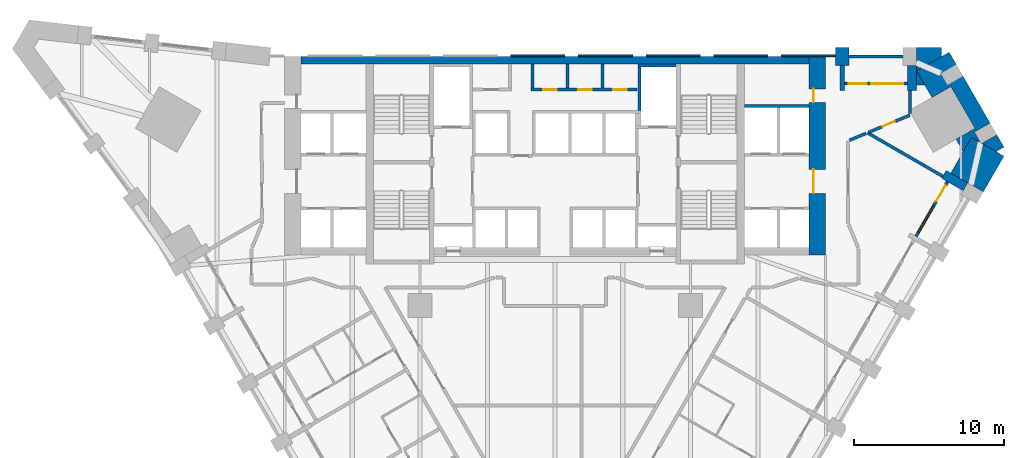
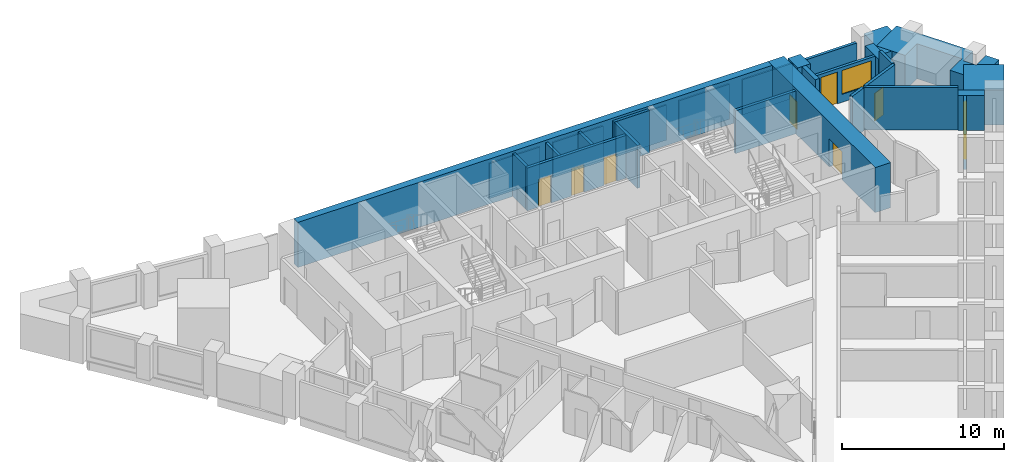
# One storey, part 9 of 11: 29 walls, 8 doors, 2 windows, 10 openings.
"""IFC4 building model written with IfcOpenShell, lengths in metres."""

from ifc_helpers import new_model, si_unit, direction, frame, frame_2d, origin, place, context, subcontext, project, spatial, polyline, rectangle, outline, extrude, material, layer, layer_set, type_object, element, fill, save


model = new_model("IFC4")

# Units and contexts
model_context = context("Model", 3, precision=1e-05, world=origin(), true_north=direction((0.0, 1.0)))
body_context = subcontext(model_context, "Body", "Model", "MODEL_VIEW")
ifc_project = project(units=[si_unit("LENGTHUNIT", "METRE"), si_unit("AREAUNIT", "SQUARE_METRE"), si_unit("VOLUMEUNIT", "CUBIC_METRE"), si_unit("PLANEANGLEUNIT", "RADIAN"), si_unit("MASSUNIT", "GRAM", prefix="KILO")], contexts=[model_context])

# Site, building, storey
site_placement = place(None, origin())
site = spatial("IfcSite", under=ifc_project, at=site_placement, CompositionType="ELEMENT")
building_placement = place(site_placement, origin())
building = spatial("IfcBuilding", under=site, at=building_placement, Name="Calabash Gate Tower", CompositionType="ELEMENT")
storey_placement = place(building_placement, frame((0.0, 0.0, 49.39990234375)))
storey = spatial("IfcBuildingStorey", under=building, at=storey_placement, Name="L07", CompositionType="ELEMENT", Elevation=49.39990234375)

# Walls
ifc_material_1 = material(Name="Terracotta brick masonry, exposed face", Category="masonry")
ifc_layer_1 = layer(ifc_material_1, 2.5)
ifc_layer_set_1 = layer_set([ifc_layer_1], Name="Brick corner mass wall 2500")
wall_type_1 = type_object("IfcWallType", Name="Brick corner mass wall 2500", PredefinedType="SOLIDWALL", material=ifc_layer_set_1)
wall_1_placement = place(storey_placement, origin())
element("IfcWall", 1, at=wall_1_placement, inside=storey, type_object=wall_type_1, Name="Brick corner pier S01 3a", PredefinedType="SOLIDWALL", context=body_context, shape_type="SweptSolid", body=[
    extrude(outline(polyline([(28.49462890625, 10.049072265625), (29.86962890625, 12.4306640625), (28.39990234375, 13.279052734375), (28.35546875, 13.253173828125), (28.310791015625, 13.33056640625), (27.70458984375, 13.6806640625), (26.32958984375, 11.299072265625), (28.49462890625, 10.049072265625)])), origin(), (0.0, 0.0, 1.0), 2.630126953125),
])
wall_2_placement = place(storey_placement, origin())
element("IfcWall", 2, at=wall_2_placement, inside=storey, type_object=wall_type_1, Name="Brick corner pier S01 3ba", PredefinedType="SOLIDWALL", context=body_context, shape_type="SweptSolid", body=[
    extrude(outline(polyline([(29.35009765625, 12.73046875), (29.86962890625, 13.030517578125), (29.39453125, 13.853271484375), (28.39990234375, 13.279052734375), (29.35009765625, 12.73046875)])), origin(), (0.0, 0.0, 1.0), 2.630126953125),
])
wall_3_placement = place(storey_placement, origin())
element("IfcWall", 3, at=wall_3_placement, inside=storey, type_object=wall_type_1, Name="Brick corner pier S01 3bb", PredefinedType="SOLIDWALL", context=body_context, shape_type="SweptSolid", body=[
    extrude(outline(polyline([(27.935546875, 14.28125), (26.679443359375, 13.55615234375), (27.156005859375, 12.73046875), (27.70458984375, 13.6806640625), (28.310791015625, 13.33056640625), (27.9052734375, 14.03271484375), (28.944580078125, 14.6328125), (26.2197265625, 19.3525390625), (24.054443359375, 18.1025390625), (25.079345703125, 16.327392578125), (26.335693359375, 17.052734375), (27.935546875, 14.28125)])), origin(), (0.0, 0.0, 1.0), 2.630126953125),
])
wall_4_placement = place(storey_placement, origin())
element("IfcWall", 4, at=wall_4_placement, inside=storey, type_object=wall_type_1, Name="Brick corner pier S01 3c", PredefinedType="SOLIDWALL", context=body_context, shape_type="SweptSolid", body=[
    extrude(outline(polyline([(24.050048828125, 19.652587890625), (24.050048828125, 17.152587890625), (24.60302734375, 17.152587890625), (24.054443359375, 18.1025390625), (25.699951171875, 19.052490234375), (25.699951171875, 19.652587890625), (24.050048828125, 19.652587890625)])), origin(), (0.0, 0.0, 1.0), 2.630126953125),
])
ifc_material_2 = material(Name="Terracotta brick masonry, exposed face", Category="masonry")
ifc_layer_2 = layer(ifc_material_2, 1.199951171875)
ifc_layer_set_2 = layer_set([ifc_layer_2], Name="Brick end wall 1200")
wall_type_2 = type_object("IfcWallType", Name="Brick end wall 1200", PredefinedType="SOLIDWALL", material=ifc_layer_set_2)
wall_5_placement = place(storey_placement, origin())
element("IfcWall", 5, at=wall_5_placement, inside=storey, type_object=wall_type_2, Name="Brick pier S01 N4.1", PredefinedType="SOLIDWALL", context=body_context, shape_type="SweptSolid", body=[
    extrude(outline(polyline([(19.550048828125, 19.652587890625), (18.64990234375, 19.652587890625), (18.64990234375, 18.45263671875), (19.550048828125, 18.45263671875), (19.550048828125, 19.652587890625)])), origin(), (0.0, 0.0, 1.0), 2.650146484375),
])
ifc_material_3 = material(Name="Terracotta brick masonry, exposed face", Category="masonry")
ifc_layer_3 = layer(ifc_material_3, 0.300048828125)
ifc_layer_set_3 = layer_set([ifc_layer_3], Name="Brick loggia cheek wall 300")
wall_type_3 = type_object("IfcWallType", Name="Brick loggia cheek wall 300", PredefinedType="SOLIDWALL", material=ifc_layer_set_3)
wall_6_placement = place(storey_placement, frame((25.87646484375, 11.214111328125, 0.0), z_axis=(0.0, 0.0, 1.0), x_axis=(0.866040211805, -0.499974350878, 0.0)))
element("IfcWall", 6, at=wall_6_placement, inside=storey, type_object=wall_type_3, Name="Loggia cheek S01 SE2.10", PredefinedType="SOLIDWALL", context=body_context, shape_type="SweptSolid", body=[
    extrude(rectangle(XDim=1.64990234375, YDim=0.60009765625, at=frame_2d((0.824951171875, 0.0))), origin(), (0.0, 0.0, 1.0), 2.650146484375),
])
wall_7_placement = place(storey_placement, origin())
element("IfcWall", 7, at=wall_7_placement, inside=storey, type_object=wall_type_3, Name="Loggia cheek S01 N4.0", PredefinedType="SOLIDWALL", context=body_context, shape_type="SweptSolid", body=[
    extrude(outline(polyline([(24.050048828125, 16.802490234375), (24.050048828125, 18.45263671875), (23.449951171875, 18.45263671875), (23.449951171875, 16.802490234375), (24.050048828125, 16.802490234375)])), origin(), (0.0, 0.0, 1.0), 2.630126953125),
])
wall_8_placement = place(storey_placement, origin())
element("IfcWall", 8, at=wall_8_placement, inside=storey, type_object=wall_type_3, Name="Loggia cheek S01 N4.1", PredefinedType="SOLIDWALL", context=body_context, shape_type="SweptSolid", body=[
    extrude(outline(polyline([(18.949951171875, 18.45263671875), (18.949951171875, 16.802490234375), (19.25, 16.802490234375), (19.25, 18.45263671875), (18.949951171875, 18.45263671875)])), origin(), (0.0, 0.0, 1.0), 2.650146484375),
])
ifc_material_4 = material(Name="Gypsum board on steel studs, mineral wool", Category="steel")
ifc_layer_4 = layer(ifc_material_4, 0.199951171875)
ifc_layer_set_4 = layer_set([ifc_layer_4], Name="Core partition 200 gypsum board")
wall_type_4 = type_object("IfcWallType", Name="Core partition 200 gypsum board", PredefinedType="PARTITIONING", material=ifc_layer_set_4)
for number, where, z_axis, x_axis, name in (
    (9, (-1.5, 16.95263671875, 0.0), (0.0, 0.0, 1.0), (0.0, 1.0, 0.0), "Core partition"),
    (10, (0.833251953125, 16.95263671875, 0.0), (0.0, 0.0, 1.0), (0.0, 1.0, 0.0), "Core partition"),
    (11, (3.166748046875, 16.95263671875, 0.0), (0.0, 0.0, 1.0), (0.0, 1.0, 0.0), "Core partition"),
):
    element("IfcWall", number, at=place(storey_placement, frame(where, z_axis=z_axis, x_axis=x_axis)), inside=storey, type_object=wall_type_4, Name=name, PredefinedType="PARTITIONING", context=body_context, shape_type="SweptSolid", body=[
        extrude(rectangle(XDim=1.599853515625, YDim=0.199951171875, at=frame_2d((0.7998046875, 0.0))), origin(), (0.0, 0.0, 1.0), 3.22998046875),
    ])

# Wall, openings, doors
ifc_material_5 = material(Name="Concrete C80/95", Category="concrete")
ifc_layer_5 = layer(ifc_material_5, 1.10009765625)
ifc_layer_set_5 = layer_set([ifc_layer_5], Name="Core wall 1100 Concrete C80/95")
wall_type_5 = type_object("IfcWallType", Name="Core wall 1100 Concrete C80/95", PredefinedType="SHEAR", material=ifc_layer_set_5)
wall_9_placement = place(storey_placement, frame((17.449951171875, 5.8525390625, 0.0), z_axis=(0.0, 0.0, 1.0), x_axis=(0.0, 1.0, 0.0)))
wall_9 = element("IfcWall", 12, at=wall_9_placement, inside=storey, type_object=wall_type_5, Name="Core wall Z1-ENDE L07", PredefinedType="SHEAR", context=body_context, shape_type="SweptSolid", body=[
    extrude(rectangle(XDim=13.199951171875, YDim=1.10009765625, at=frame_2d((6.60009765625, 0.0))), origin(), (0.0, 0.0, 1.0), 3.400146484375),
])
opening_1_placement = place(wall_9_placement, frame((4.10009765625, 0.0, 0.0)))
opening_1 = element("IfcOpeningElement", 13, at=opening_1_placement, cuts=wall_9, Name="Opening H1-002", PredefinedType="OPENING", context=body_context, shape_type="SweptSolid", body=[
    extrude(rectangle(XDim=1.60009765625, YDim=2.10009765625, at=frame_2d((0.800048828125, 1.050048828125))), frame((0.0, 0.56005859375, 0.0), z_axis=(0.0, -1.0, 0.0), x_axis=(1.0, 0.0, 0.0)), (0.0, 0.0, 1.0), 1.1201171875),
])
opening_2_placement = place(wall_9_placement, frame((10.14990234375, 0.0, 0.0)))
opening_2 = element("IfcOpeningElement", 14, at=opening_2_placement, cuts=wall_9, Name="Opening H1-001", PredefinedType="OPENING", context=body_context, shape_type="SweptSolid", body=[
    extrude(rectangle(XDim=0.89990234375, YDim=2.10009765625, at=frame_2d((0.449951171875, 1.050048828125))), frame((0.0, 0.56005859375, 0.0), z_axis=(0.0, -1.0, 0.0), x_axis=(1.0, 0.0, 0.0)), (0.0, 0.0, 1.0), 1.1201171875),
])
ifc_material_6 = material(Name="Steel fire door set with fire-resisting glazing", Category="steel")
door_type_1 = type_object("IfcDoorType", Name="Double fire door D08 1600x2100 FD60", OperationType="DOUBLE_DOOR_SINGLE_SWING", PredefinedType="DOOR", material=ifc_material_6)
door_1_placement = place(opening_1_placement, origin())
door_1 = element("IfcDoor", 15, at=door_1_placement, inside=storey, type_object=door_type_1, Name="Low-rise Lift Lobby E door", OperationType="DOUBLE_DOOR_SINGLE_SWING", OverallHeight=2.10009765625, OverallWidth=1.60009765625, PredefinedType="DOOR", context=body_context, shape_type="SweptSolid", body=[
    extrude(rectangle(XDim=1.60009765625, YDim=2.10009765625, at=frame_2d((0.800048828125, 1.050048828125))), frame((0.0, 0.27490234375, 0.0), z_axis=(0.0, -1.0, 0.0), x_axis=(1.0, 0.0, 0.0)), (0.0, 0.0, 1.0), 0.050048828125),
])
fill(opening_1, door_1)
ifc_material_7 = material(Name="Steel fire door set with fire-resisting glazing", Category="steel")
door_type_2 = type_object("IfcDoorType", Name="Fire door D06 900x2100 FD60", OperationType="NOTDEFINED", PredefinedType="DOOR", material=ifc_material_7)
door_2_placement = place(opening_2_placement, origin())
door_2 = element("IfcDoor", 16, at=door_2_placement, inside=storey, type_object=door_type_2, Name="Cleaner's Store door", OperationType="SINGLE_SWING_LEFT", OverallHeight=2.10009765625, OverallWidth=0.89990234375, PredefinedType="DOOR", context=body_context, shape_type="SweptSolid", body=[
    extrude(rectangle(XDim=0.89990234375, YDim=2.10009765625, at=frame_2d((0.449951171875, 1.050048828125))), frame((0.0, 0.27490234375, 0.0), z_axis=(0.0, -1.0, 0.0), x_axis=(1.0, 0.0, 0.0)), (0.0, 0.0, 1.0), 0.050048828125),
])
fill(opening_2, door_2)

# Walls
ifc_material_8 = material(Name="Concrete C80/95", Category="concrete")
ifc_layer_6 = layer(ifc_material_8, 0.5)
ifc_layer_set_6 = layer_set([ifc_layer_6], Name="Core wall 500 Concrete C80/95")
wall_type_6 = type_object("IfcWallType", Name="Core wall 500 Concrete C80/95", PredefinedType="SHEAR", material=ifc_layer_set_6)
wall_10_placement = place(storey_placement, frame((-16.89990234375, 18.802490234375, 0.0), z_axis=(0.0, 0.0, 1.0), x_axis=(1.0, 0.0, 0.0)))
element("IfcWall", 17, at=wall_10_placement, inside=storey, type_object=wall_type_6, Name="Core wall Z1-N L07", PredefinedType="SHEAR", context=body_context, shape_type="SweptSolid", body=[
    extrude(rectangle(XDim=33.7998046875, YDim=0.5, at=frame_2d((16.89990234375, 0.0))), origin(), (0.0, 0.0, 1.0), 3.400146484375),
])
ifc_material_9 = material(Name="Gypsum board on steel studs, mineral wool", Category="steel")
ifc_layer_7 = layer(ifc_material_9, 0.199951171875)
ifc_layer_set_7 = layer_set([ifc_layer_7], Name="Partition 200 gypsum board EI 60")
wall_type_7 = type_object("IfcWallType", Name="Partition 200 gypsum board EI 60", PredefinedType="PARTITIONING", material=ifc_layer_set_7)
wall_11_placement = place(storey_placement, frame((19.593017578125, 13.490478515625, 0.0), z_axis=(0.0, 0.0, 1.0), x_axis=(0.924174624958, 0.381970237825, 0.0)))
element("IfcWall", 18, at=wall_11_placement, inside=storey, type_object=wall_type_7, Name="Partition", PredefinedType="PARTITIONING", context=body_context, shape_type="SweptSolid", body=[
    extrude(rectangle(XDim=1.18701171875, YDim=0.199951171875, at=frame_2d((0.593505859375, 0.0))), origin(), (0.0, 0.0, 1.0), 3.22998046875),
])
wall_12_placement = place(storey_placement, frame((20.782958984375, 13.98388671875, 0.0), z_axis=(0.0, 0.0, 1.0), x_axis=(0.865879670097, -0.50025233324, 0.0)))
element("IfcWall", 19, at=wall_12_placement, inside=storey, type_object=wall_type_7, Name="Partition", PredefinedType="PARTITIONING", context=body_context, shape_type="SweptSolid", body=[
    extrude(rectangle(XDim=5.7958984375, YDim=0.199951171875, at=frame_2d((2.89794921875, 0.0))), origin(), (0.0, 0.0, 1.0), 3.22998046875),
])

# Wall, opening, door
wall_13_placement = place(storey_placement, frame((20.875, 14.0205078125, 0.0), z_axis=(0.0, 0.0, 1.0), x_axis=(0.923541353386, 0.383498850828, 0.0)))
wall_13 = element("IfcWall", 20, at=wall_13_placement, inside=storey, type_object=wall_type_7, Name="Partition", PredefinedType="PARTITIONING", context=body_context, shape_type="SweptSolid", body=[
    extrude(rectangle(XDim=2.95068359375, YDim=0.199951171875, at=frame_2d((1.475341796875, 0.0))), origin(), (0.0, 0.0, 1.0), 3.22998046875),
])
opening_3_placement = place(wall_13_placement, frame((0.974853515625, 0.0, 0.0)))
opening_3 = element("IfcOpeningElement", 21, at=opening_3_placement, cuts=wall_13, Name="Opening 06-08-028", PredefinedType="OPENING", context=body_context, shape_type="SweptSolid", body=[
    extrude(rectangle(XDim=0.89990234375, YDim=2.10009765625, at=frame_2d((0.449951171875, 1.050048828125))), frame((0.0, 0.10986328125, 0.0), z_axis=(0.0, -1.0, 0.0), x_axis=(1.0, 0.0, 0.0)), (0.0, 0.0, 1.0), 0.219970703125),
])
ifc_material_10 = material(Name="Steel fire door set with fire-resisting glazing", Category="steel")
door_type_3 = type_object("IfcDoorType", Name="SD3 Store door 900x2100", OperationType="NOTDEFINED", PredefinedType="DOOR", material=ifc_material_10)
door_3_placement = place(opening_3_placement, origin())
door_3 = element("IfcDoor", 22, at=door_3_placement, inside=storey, type_object=door_type_3, Name="Store door", OperationType="SINGLE_SWING_RIGHT", OverallHeight=2.10009765625, OverallWidth=0.89990234375, PredefinedType="DOOR", context=body_context, shape_type="SweptSolid", body=[
    extrude(rectangle(XDim=0.89990234375, YDim=2.10009765625, at=frame_2d((0.449951171875, 1.050048828125))), frame((0.0, 0.02490234375, 0.0), z_axis=(0.0, -1.0, 0.0), x_axis=(1.0, 0.0, 0.0)), (0.0, 0.0, 1.0), 0.050048828125),
])
fill(opening_3, door_3)

# Walls
wall_14_placement = place(storey_placement, frame((23.600341796875, 15.252197265625, 0.0), z_axis=(0.0, 0.0, 1.0), x_axis=(0.000157480313, 0.9999999876, 0.0)))
element("IfcWall", 23, at=wall_14_placement, inside=storey, type_object=wall_type_7, Name="Partition", PredefinedType="PARTITIONING", context=body_context, shape_type="SweptSolid", body=[
    extrude(rectangle(XDim=1.55029296875, YDim=0.199951171875, at=frame_2d((0.775146484375, 0.0))), origin(), (0.0, 0.0, 1.0), 3.22998046875),
])
ifc_material_11 = material(Name="Concrete C40/50", Category="concrete")
ifc_layer_8 = layer(ifc_material_11, 0.199951171875)
ifc_layer_set_8 = layer_set([ifc_layer_8], Name="Shaft wall 200 Concrete C40/50")
wall_type_8 = type_object("IfcWallType", Name="Shaft wall 200 Concrete C40/50", PredefinedType="SOLIDWALL", material=ifc_layer_set_8)
wall_15_placement = place(storey_placement, frame((5.60009765625, 15.45263671875, 0.0), z_axis=(0.0, 0.0, 1.0), x_axis=(0.0, 1.0, 0.0)))
element("IfcWall", 24, at=wall_15_placement, inside=storey, type_object=wall_type_8, Name="Shaft wall", PredefinedType="SOLIDWALL", context=body_context, shape_type="SweptSolid", body=[
    extrude(rectangle(XDim=2.89990234375, YDim=0.199951171875, at=frame_2d((1.449951171875, 0.0))), origin(), (0.0, 0.0, 1.0), 3.22998046875),
])
wall_16_placement = place(storey_placement, frame((12.60009765625, 15.752685546875, 0.0), z_axis=(0.0, 0.0, 1.0), x_axis=(1.0, 0.0, 0.0)))
element("IfcWall", 25, at=wall_16_placement, inside=storey, type_object=wall_type_8, Name="Shaft wall", PredefinedType="SOLIDWALL", context=body_context, shape_type="SweptSolid", body=[
    extrude(rectangle(XDim=4.2998046875, YDim=0.199951171875, at=frame_2d((2.14990234375, 0.0))), origin(), (0.0, 0.0, 1.0), 3.22998046875),
])

# Wall, openings, doors
wall_17_placement = place(storey_placement, frame((-1.60009765625, 16.8525390625, 0.0), z_axis=(0.0, 0.0, 1.0), x_axis=(1.0, 0.0, 0.0)))
wall_17 = element("IfcWall", 26, at=wall_17_placement, inside=storey, type_object=wall_type_8, Name="Shaft wall", PredefinedType="SOLIDWALL", context=body_context, shape_type="SweptSolid", body=[
    extrude(rectangle(XDim=7.050048828125, YDim=0.199951171875, at=frame_2d((3.52490234375, 0.0))), origin(), (0.0, 0.0, 1.0), 3.22998046875),
])
opening_4_placement = place(wall_17_placement, frame((0.816650390625, 0.0, 0.0)))
opening_4 = element("IfcOpeningElement", 27, at=opening_4_placement, cuts=wall_17, Name="Opening H1-009", PredefinedType="OPENING", context=body_context, shape_type="SweptSolid", body=[
    extrude(rectangle(XDim=0.89990234375, YDim=2.10009765625, at=frame_2d((0.449951171875, 1.050048828125))), frame((0.0, 0.10986328125, 0.0), z_axis=(0.0, -1.0, 0.0), x_axis=(1.0, 0.0, 0.0)), (0.0, 0.0, 1.0), 0.219970703125),
])
opening_5_placement = place(wall_17_placement, frame((3.14990234375, 0.0, 0.0)))
opening_5 = element("IfcOpeningElement", 28, at=opening_5_placement, cuts=wall_17, Name="Opening H1-010", PredefinedType="OPENING", context=body_context, shape_type="SweptSolid", body=[
    extrude(rectangle(XDim=0.89990234375, YDim=2.10009765625, at=frame_2d((0.449951171875, 1.050048828125))), frame((0.0, 0.10986328125, 0.0), z_axis=(0.0, -1.0, 0.0), x_axis=(1.0, 0.0, 0.0)), (0.0, 0.0, 1.0), 0.219970703125),
])
opening_6_placement = place(wall_17_placement, frame((5.4833984375, 0.0, 0.0)))
opening_6 = element("IfcOpeningElement", 29, at=opening_6_placement, cuts=wall_17, Name="Opening H1-011", PredefinedType="OPENING", context=body_context, shape_type="SweptSolid", body=[
    extrude(rectangle(XDim=0.89990234375, YDim=2.10009765625, at=frame_2d((0.449951171875, 1.050048828125))), frame((0.0, 0.10986328125, 0.0), z_axis=(0.0, -1.0, 0.0), x_axis=(1.0, 0.0, 0.0)), (0.0, 0.0, 1.0), 0.219970703125),
])
door_4_placement = place(opening_4_placement, origin())
door_4 = element("IfcDoor", 30, at=door_4_placement, inside=storey, type_object=door_type_2, Name="Linen Store door", OperationType="SINGLE_SWING_LEFT", OverallHeight=2.10009765625, OverallWidth=0.89990234375, PredefinedType="DOOR", context=body_context, shape_type="SweptSolid", body=[
    extrude(rectangle(XDim=0.89990234375, YDim=2.10009765625, at=frame_2d((0.449951171875, 1.050048828125))), frame((0.0, 0.02490234375, 0.0), z_axis=(0.0, -1.0, 0.0), x_axis=(1.0, 0.0, 0.0)), (0.0, 0.0, 1.0), 0.050048828125),
])
fill(opening_4, door_4)
door_5_placement = place(opening_5_placement, origin())
door_5 = element("IfcDoor", 31, at=door_5_placement, inside=storey, type_object=door_type_2, Name="Ice and Vending door", OperationType="SINGLE_SWING_LEFT", OverallHeight=2.10009765625, OverallWidth=0.89990234375, PredefinedType="DOOR", context=body_context, shape_type="SweptSolid", body=[
    extrude(rectangle(XDim=0.89990234375, YDim=2.10009765625, at=frame_2d((0.449951171875, 1.050048828125))), frame((0.0, 0.02490234375, 0.0), z_axis=(0.0, -1.0, 0.0), x_axis=(1.0, 0.0, 0.0)), (0.0, 0.0, 1.0), 0.050048828125),
])
fill(opening_5, door_5)
door_6_placement = place(opening_6_placement, origin())
door_6 = element("IfcDoor", 32, at=door_6_placement, inside=storey, type_object=door_type_2, Name="Cleaner's Store door", OperationType="SINGLE_SWING_RIGHT", OverallHeight=2.10009765625, OverallWidth=0.89990234375, PredefinedType="DOOR", context=body_context, shape_type="SweptSolid", body=[
    extrude(rectangle(XDim=0.89990234375, YDim=2.10009765625, at=frame_2d((0.449951171875, 1.050048828125))), frame((0.0, 0.02490234375, 0.0), z_axis=(0.0, -1.0, 0.0), x_axis=(1.0, 0.0, 0.0)), (0.0, 0.0, 1.0), 0.050048828125),
])
fill(opening_6, door_6)

# Walls
wall_18_placement = place(storey_placement, frame((5.5, 18.45263671875, 0.0), z_axis=(0.0, 0.0, 1.0), x_axis=(1.0, 0.0, 0.0)))
element("IfcWall", 33, at=wall_18_placement, inside=storey, type_object=wall_type_8, Name="Shaft wall", PredefinedType="SOLIDWALL", context=body_context, shape_type="SweptSolid", body=[
    extrude(rectangle(XDim=2.550048828125, YDim=0.199951171875, at=frame_2d((1.27490234375, 0.0))), origin(), (0.0, 0.0, 1.0), 3.22998046875),
])
ifc_material_12 = material(Name="Terracotta brick masonry, perforated", Category="masonry")
ifc_layer_9 = layer(ifc_material_12, 0.1201171875)
ifc_layer_set_9 = layer_set([ifc_layer_9], Name="Terracotta jaali cladding A 120")
wall_type_9 = type_object("IfcWallType", Name="Terracotta jaali cladding A 120", PredefinedType="SOLIDWALL", material=ifc_layer_set_9)
wall_19_placement = place(storey_placement, origin())
element("IfcWall", 34, at=wall_19_placement, inside=storey, type_object=wall_type_9, Name="Jaali cladding S01 N4.3", PredefinedType="SOLIDWALL", context=body_context, shape_type="SweptSolid", body=[
    extrude(outline(polyline([(10.550048828125, 19.172607421875), (10.550048828125, 19.052490234375), (14.14990234375, 19.052490234375), (14.14990234375, 19.172607421875), (10.550048828125, 19.172607421875)])), origin(), (0.0, 0.0, 1.0), 2.650146484375),
])
wall_20_placement = place(storey_placement, origin())
element("IfcWall", 35, at=wall_20_placement, inside=storey, type_object=wall_type_9, Name="Jaali cladding S01 N4.5", PredefinedType="SOLIDWALL", context=body_context, shape_type="SweptSolid", body=[
    extrude(outline(polyline([(1.550048828125, 19.172607421875), (1.550048828125, 19.052490234375), (5.14990234375, 19.052490234375), (5.14990234375, 19.172607421875), (1.550048828125, 19.172607421875)])), origin(), (0.0, 0.0, 1.0), 2.650146484375),
])
ifc_material_13 = material(Name="Terracotta brick masonry, perforated", Category="masonry")
ifc_layer_10 = layer(ifc_material_13, 0.199951171875)
ifc_layer_set_10 = layer_set([ifc_layer_10], Name="Terracotta jaali screen A")
wall_type_10 = type_object("IfcWallType", Name="Terracotta jaali screen A", PredefinedType="SOLIDWALL", material=ifc_layer_set_10)
wall_21_placement = place(storey_placement, frame((23.14990234375, 19.052490234375, 0.0), z_axis=(0.0, 0.0, 1.0), x_axis=(-1.0, 0.0, 0.0)))
element("IfcWall", 36, at=wall_21_placement, inside=storey, type_object=wall_type_10, Name="SCREEN A S01 N4.1", PredefinedType="SOLIDWALL", context=body_context, shape_type="SweptSolid", body=[
    extrude(rectangle(XDim=3.599853515625, YDim=0.199951171875, at=frame_2d((1.7998046875, 0.0))), origin(), (0.0, 0.0, 1.0), 2.650146484375),
])
ifc_material_14 = material(Name="Terracotta louvre blades in an aluminium frame", Category="masonry")
ifc_layer_11 = layer(ifc_material_14, 0.1201171875)
ifc_layer_set_11 = layer_set([ifc_layer_11], Name="Terracotta vent louvre cladding 120")
wall_type_11 = type_object("IfcWallType", Name="Terracotta vent louvre cladding 120", PredefinedType="ELEMENTEDWALL", material=ifc_layer_set_11)
wall_22_placement = place(storey_placement, origin())
element("IfcWall", 37, at=wall_22_placement, inside=storey, type_object=wall_type_11, Name="Vent louvre cladding S01 N4.2", PredefinedType="ELEMENTEDWALL", context=body_context, shape_type="SweptSolid", body=[
    extrude(outline(polyline([(15.050048828125, 19.172607421875), (15.050048828125, 19.052490234375), (18.6494140625, 19.052490234375), (18.6494140625, 19.172607421875), (15.050048828125, 19.172607421875)])), origin(), (0.0, 0.0, 1.0), 2.650146484375),
])
wall_23_placement = place(storey_placement, origin())
element("IfcWall", 38, at=wall_23_placement, inside=storey, type_object=wall_type_11, Name="Vent louvre cladding S01 N4.4", PredefinedType="ELEMENTEDWALL", context=body_context, shape_type="SweptSolid", body=[
    extrude(outline(polyline([(6.050048828125, 19.172607421875), (6.050048828125, 19.052490234375), (9.64990234375, 19.052490234375), (9.64990234375, 19.172607421875), (6.050048828125, 19.172607421875)])), origin(), (0.0, 0.0, 1.0), 2.650146484375),
])
wall_24_placement = place(storey_placement, origin())
element("IfcWall", 39, at=wall_24_placement, inside=storey, type_object=wall_type_11, Name="Vent louvre cladding S01 N4.6", PredefinedType="ELEMENTEDWALL", context=body_context, shape_type="SweptSolid", body=[
    extrude(outline(polyline([(-2.949951171875, 19.172607421875), (-2.949951171875, 19.052490234375), (0.64990234375, 19.052490234375), (0.64990234375, 19.172607421875), (-2.949951171875, 19.172607421875)])), origin(), (0.0, 0.0, 1.0), 2.650146484375),
])

# Wall, openings, door, window
ifc_material_15 = material(Name="Aluminium framed window wall with insulated spandrel", Category="aluminium")
ifc_layer_12 = layer(ifc_material_15, 0.199951171875)
ifc_layer_set_12 = layer_set([ifc_layer_12], Name="Window wall 200")
wall_type_12 = type_object("IfcWallType", Name="Window wall 200", PredefinedType="ELEMENTEDWALL", material=ifc_layer_set_12)
wall_25_placement = place(storey_placement, frame((24.01611328125, 7.092041015625, 0.0), z_axis=(0.0, 0.0, 1.0), x_axis=(0.500002543286, 0.866023935413, 0.0)))
wall_25 = element("IfcWall", 40, at=wall_25_placement, inside=storey, type_object=wall_type_12, Name="Window wall S01 SE2.10", PredefinedType="ELEMENTEDWALL", context=body_context, shape_type="SweptSolid", body=[
    extrude(rectangle(XDim=4.2001953125, YDim=0.199951171875, at=frame_2d((2.10009765625, 0.0))), origin(), (0.0, 0.0, 1.0), 2.650146484375),
])
opening_7_placement = place(wall_25_placement, frame((0.300048828125, 0.0, 0.60009765625)))
opening_7 = element("IfcOpeningElement", 41, at=opening_7_placement, cuts=wall_25, Name="Opening HW1", PredefinedType="OPENING", context=body_context, shape_type="SweptSolid", body=[
    extrude(rectangle(XDim=2.10009765625, YDim=1.800048828125, at=frame_2d((1.050048828125, 0.89990234375))), frame((0.0, 0.10986328125, 0.0), z_axis=(0.0, -1.0, 0.0), x_axis=(1.0, 0.0, 0.0)), (0.0, 0.0, 1.0), 0.219970703125),
])
opening_8_placement = place(wall_25_placement, frame((2.699951171875, 0.0, 0.0)))
opening_8 = element("IfcOpeningElement", 42, at=opening_8_placement, cuts=wall_25, Name="Opening H1-024", PredefinedType="OPENING", context=body_context, shape_type="SweptSolid", body=[
    extrude(rectangle(XDim=1.199951171875, YDim=2.39990234375, at=frame_2d((0.60009765625, 1.199951171875))), frame((0.0, 0.10986328125, 0.0), z_axis=(0.0, -1.0, 0.0), x_axis=(1.0, 0.0, 0.0)), (0.0, 0.0, 1.0), 0.219970703125),
])
ifc_material_16 = material(Name="Anodised aluminium frame, bronze finish, impact-rated laminated clear glazing", Category="aluminium")
door_type_4 = type_object("IfcDoorType", Name="Loggia door DH1 1200x2400", OperationType="SLIDING_TO_LEFT", PredefinedType="DOOR", material=ifc_material_16)
door_7_placement = place(opening_8_placement, origin())
door_7 = element("IfcDoor", 43, at=door_7_placement, inside=storey, type_object=door_type_4, Name="Loggia door S01 SE2.10", OperationType="SINGLE_SWING_LEFT", OverallHeight=2.39990234375, OverallWidth=1.199951171875, PredefinedType="DOOR", context=body_context, shape_type="SweptSolid", body=[
    extrude(rectangle(XDim=1.199951171875, YDim=2.39990234375, at=frame_2d((0.60009765625, 1.199951171875))), frame((0.0, 0.02490234375, 0.0), z_axis=(0.0, -1.0, 0.0), x_axis=(1.0, 0.0, 0.0)), (0.0, 0.0, 1.0), 0.050048828125),
])
fill(opening_8, door_7)
ifc_material_17 = material(Name="Anodised aluminium frame, bronze finish, impact-rated laminated clear glazing", Category="aluminium")
window_type = type_object("IfcWindowType", Name="Window HW1 2100x1800", PartitioningType="DOUBLE_PANEL_VERTICAL", PredefinedType="WINDOW", material=ifc_material_17)
window_1_placement = place(opening_7_placement, origin())
window_1 = element("IfcWindow", 44, at=window_1_placement, inside=storey, type_object=window_type, Name="Window HW1 S01 SE2.10", OverallHeight=1.800048828125, OverallWidth=2.10009765625, PartitioningType="SINGLE_PANEL", PredefinedType="WINDOW", context=body_context, shape_type="SweptSolid", body=[
    extrude(rectangle(XDim=2.10009765625, YDim=1.800048828125, at=frame_2d((1.050048828125, 0.89990234375))), frame((0.0, 0.030029296875, 0.0), z_axis=(0.0, -1.0, 0.0), x_axis=(1.0, 0.0, 0.0)), (0.0, 0.0, 1.0), 0.06005859375),
])
fill(opening_7, window_1)

wall_26_placement = place(storey_placement, frame((23.449951171875, 17.25244140625, 0.0), z_axis=(0.0, 0.0, 1.0), x_axis=(-1.0, 0.0, 0.0)))
wall_26 = element("IfcWall", 45, at=wall_26_placement, inside=storey, type_object=wall_type_12, Name="Window wall S01 N4.1", PredefinedType="ELEMENTEDWALL", context=body_context, shape_type="SweptSolid", body=[
    extrude(rectangle(XDim=4.199951171875, YDim=0.199951171875, at=frame_2d((2.10009765625, 0.0))), origin(), (0.0, 0.0, 1.0), 2.650146484375),
])
opening_9_placement = place(wall_26_placement, frame((0.300048828125, 0.0, 0.60009765625)))
opening_9 = element("IfcOpeningElement", 46, at=opening_9_placement, cuts=wall_26, Name="Opening HW1", PredefinedType="OPENING", context=body_context, shape_type="SweptSolid", body=[
    extrude(rectangle(XDim=2.10009765625, YDim=1.800048828125, at=frame_2d((1.050048828125, 0.89990234375))), frame((0.0, 0.10986328125, 0.0), z_axis=(0.0, -1.0, 0.0), x_axis=(1.0, 0.0, 0.0)), (0.0, 0.0, 1.0), 0.219970703125),
])
opening_10_placement = place(wall_26_placement, frame((2.699951171875, 0.0, 0.0)))
opening_10 = element("IfcOpeningElement", 47, at=opening_10_placement, cuts=wall_26, Name="Opening H1-018", PredefinedType="OPENING", context=body_context, shape_type="SweptSolid", body=[
    extrude(rectangle(XDim=1.199951171875, YDim=2.39990234375, at=frame_2d((0.60009765625, 1.199951171875))), frame((0.0, 0.10986328125, 0.0), z_axis=(0.0, -1.0, 0.0), x_axis=(1.0, 0.0, 0.0)), (0.0, 0.0, 1.0), 0.219970703125),
])
door_8_placement = place(opening_10_placement, origin())
door_8 = element("IfcDoor", 48, at=door_8_placement, inside=storey, type_object=door_type_4, Name="Loggia door S01 N4.1", OperationType="SINGLE_SWING_LEFT", OverallHeight=2.39990234375, OverallWidth=1.199951171875, PredefinedType="DOOR", context=body_context, shape_type="SweptSolid", body=[
    extrude(rectangle(XDim=1.199951171875, YDim=2.39990234375, at=frame_2d((0.60009765625, 1.199951171875))), frame((0.0, 0.02490234375, 0.0), z_axis=(0.0, -1.0, 0.0), x_axis=(1.0, 0.0, 0.0)), (0.0, 0.0, 1.0), 0.050048828125),
])
fill(opening_10, door_8)
window_2_placement = place(opening_9_placement, origin())
window_2 = element("IfcWindow", 49, at=window_2_placement, inside=storey, type_object=window_type, Name="Window HW1 S01 N4.1", OverallHeight=1.800048828125, OverallWidth=2.10009765625, PartitioningType="SINGLE_PANEL", PredefinedType="WINDOW", context=body_context, shape_type="SweptSolid", body=[
    extrude(rectangle(XDim=2.10009765625, YDim=1.800048828125, at=frame_2d((1.050048828125, 0.89990234375))), frame((0.0, 0.030029296875, 0.0), z_axis=(0.0, -1.0, 0.0), x_axis=(1.0, 0.0, 0.0)), (0.0, 0.0, 1.0), 0.06005859375),
])
fill(opening_9, window_2)

save(model, "model.ifc")
